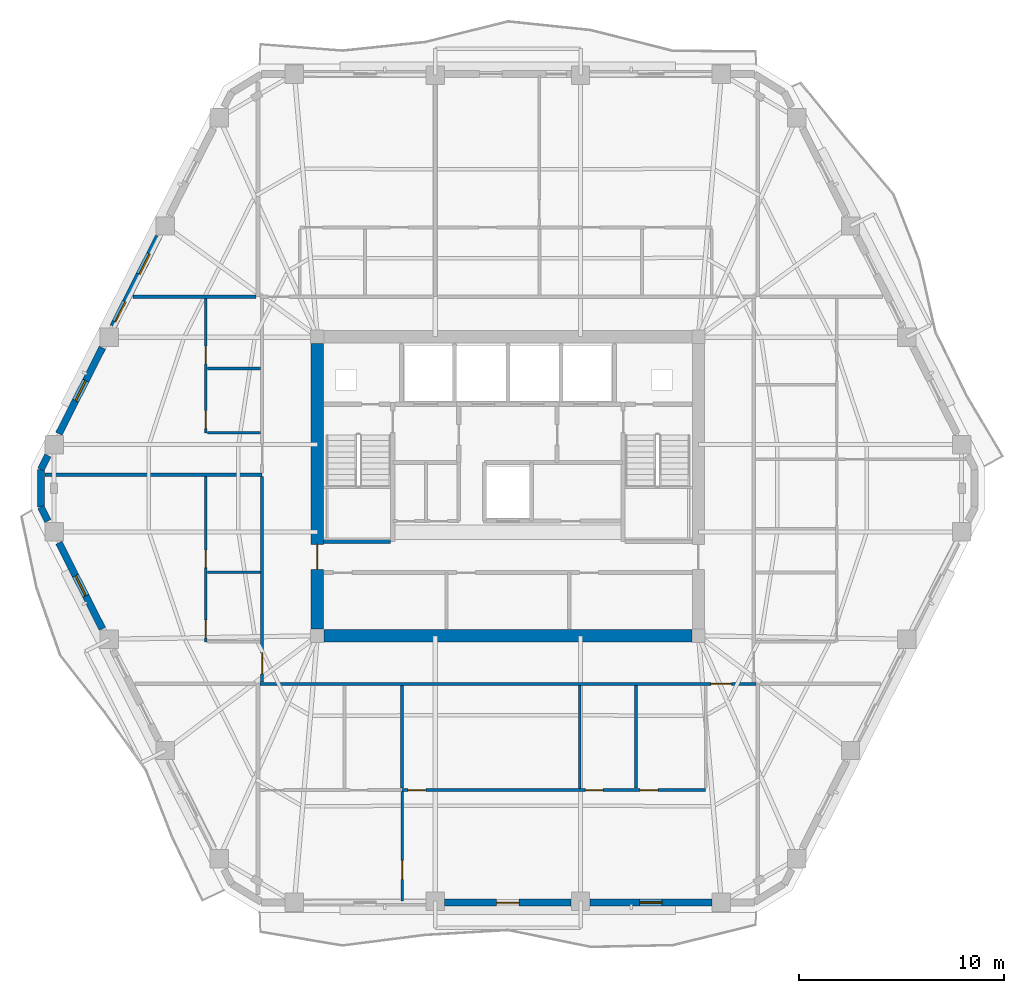
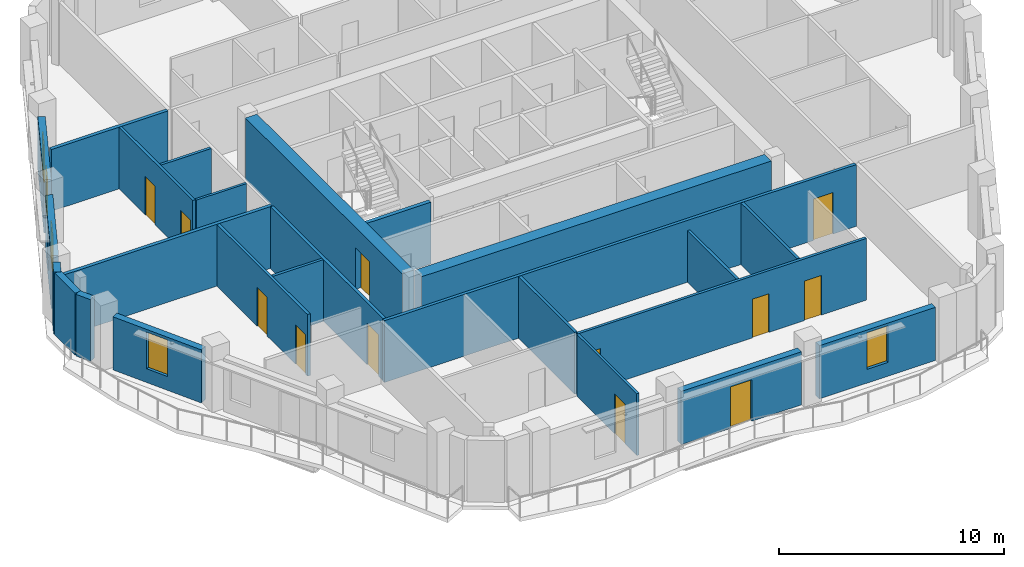
# One storey, part 4 of 11: 25 walls, 12 doors, 5 windows, 17 openings.
"""IFC4 building model written with IfcOpenShell, lengths in metres."""

from ifc_helpers import new_model, si_unit, direction, frame, frame_2d, origin, place, context, subcontext, project, spatial, rectangle, extrude, material, layer, layer_set, type_object, element, fill, save


model = new_model("IFC4")

# Units and contexts
model_context = context("Model", 3, precision=1e-05, world=origin(), true_north=direction((0.0, 1.0)))
body_context = subcontext(model_context, "Body", "Model", "MODEL_VIEW")
ifc_project = project(units=[si_unit("LENGTHUNIT", "METRE"), si_unit("AREAUNIT", "SQUARE_METRE"), si_unit("VOLUMEUNIT", "CUBIC_METRE"), si_unit("PLANEANGLEUNIT", "RADIAN"), si_unit("MASSUNIT", "GRAM", prefix="KILO")], contexts=[model_context])

# Site, building, storey
site_placement = place(None, origin())
site = spatial("IfcSite", under=ifc_project, at=site_placement, CompositionType="ELEMENT")
building_placement = place(site_placement, origin())
building = spatial("IfcBuilding", under=site, at=building_placement, Name="Cinnabar Lancet Tower", CompositionType="ELEMENT")
storey_placement = place(building_placement, frame((0.0, 0.0, 196.75)))
storey = spatial("IfcBuildingStorey", under=building, at=storey_placement, Name="L52", CompositionType="ELEMENT", Elevation=196.75)

# Wall, opening, door
ifc_material_1 = material(Name="Acoustic twin-stud gypsum partition", Category="gypsum")
ifc_layer_1 = layer(ifc_material_1, 0.159912109375)
ifc_layer_set_1 = layer_set([ifc_layer_1], Name="Acoustic twin-stud gypsum partition")
wall_type_1 = type_object("IfcWallType", Name="ARC-WL-CORR-160", PredefinedType="PARTITIONING", material=ifc_layer_set_1)
wall_1_placement = place(storey_placement, frame((20.294921875, 16.25, 0.0), z_axis=(0.0, 0.0, 1.0), x_axis=(1.0, 0.0, 0.0)))
wall_1 = element("IfcWall", 1, at=wall_1_placement, inside=storey, type_object=wall_type_1, Name="L52 Unit S01 Corridor Wall", PredefinedType="PARTITIONING", context=body_context, shape_type="SweptSolid", body=[
    extrude(rectangle(XDim=24.2099609375, YDim=0.159912109375, at=frame_2d((12.10498046875, 0.0))), origin(), (0.0, 0.0, 1.0), 3.35009765625),
])
opening_1_placement = place(wall_1_placement, frame((22.0048828125, 0.0, 0.0)))
opening_1 = element("IfcOpeningElement", 2, at=opening_1_placement, cuts=wall_1, Name="Opening UD-01", PredefinedType="OPENING", context=body_context, shape_type="SweptSolid", body=[
    extrude(rectangle(XDim=1.02001953125, YDim=2.25, at=frame_2d((0.510009765625, 1.125))), frame((0.0, 0.08984375, 0.0), z_axis=(0.0, -1.0, 0.0), x_axis=(1.0, 0.0, 0.0)), (0.0, 0.0, 1.0), 0.179931640625),
])
ifc_material_2 = material(Name="Solid timber fire-rated apartment entrance door", Category="wood")
door_type_1 = type_object("IfcDoorType", Name="ARC-DR-UNIT", OperationType="NOTDEFINED", PredefinedType="DOOR", material=ifc_material_2)
door_1_placement = place(opening_1_placement, origin())
door_1 = element("IfcDoor", 3, at=door_1_placement, inside=storey, type_object=door_type_1, Name="DR-L52-S01-ENT", OperationType="SINGLE_SWING_RIGHT", OverallHeight=2.25, OverallWidth=1.02001953125, PredefinedType="DOOR", context=body_context, shape_type="SweptSolid", body=[
    extrude(rectangle(XDim=1.02001953125, YDim=2.25, at=frame_2d((0.510009765625, 1.125))), frame((0.0, 0.02490234375, 0.0), z_axis=(0.0, -1.0, 0.0), x_axis=(1.0, 0.0, 0.0)), (0.0, 0.0, 1.0), 0.050048828125),
])
fill(opening_1, door_1)

wall_2_placement = place(storey_placement, frame((20.39990234375, 16.344970703125, 0.0), z_axis=(0.0, 0.0, 1.0), x_axis=(0.0, 1.0, 0.0)))
wall_2 = element("IfcWall", 4, at=wall_2_placement, inside=storey, type_object=wall_type_1, Name="UW-L52-W01-COR", PredefinedType="PARTITIONING", context=body_context, shape_type="SweptSolid", body=[
    extrude(rectangle(XDim=10.01611328125, YDim=0.159912109375, at=frame_2d((5.008056640625, 0.0))), origin(), (0.0, 0.0, 1.0), 3.35009765625),
])
opening_2_placement = place(wall_2_placement, frame((0.39990234375, 0.0, 0.0)))
opening_2 = element("IfcOpeningElement", 5, at=opening_2_placement, cuts=wall_2, Name="Opening UD-01", PredefinedType="OPENING", context=body_context, shape_type="SweptSolid", body=[
    extrude(rectangle(XDim=1.02001953125, YDim=2.25, at=frame_2d((0.510009765625, 1.125))), frame((0.0, 0.08984375, 0.0), z_axis=(0.0, -1.0, 0.0), x_axis=(1.0, 0.0, 0.0)), (0.0, 0.0, 1.0), 0.179931640625),
])
door_2_placement = place(opening_2_placement, origin())
door_2 = element("IfcDoor", 6, at=door_2_placement, inside=storey, type_object=door_type_1, Name="DR-L52-W01-ENT", OperationType="SINGLE_SWING_RIGHT", OverallHeight=2.25, OverallWidth=1.02001953125, PredefinedType="DOOR", context=body_context, shape_type="SweptSolid", body=[
    extrude(rectangle(XDim=1.02001953125, YDim=2.25, at=frame_2d((0.510009765625, 1.125))), frame((0.0, 0.02490234375, 0.0), z_axis=(0.0, -1.0, 0.0), x_axis=(1.0, 0.0, 0.0)), (0.0, 0.0, 1.0), 0.050048828125),
])
fill(opening_2, door_2)

# Walls
ifc_material_3 = material(Name="Fire-rated twin-frame acoustic drywall", Category="gypsum")
ifc_layer_2 = layer(ifc_material_3, 0.179931640625)
ifc_layer_set_2 = layer_set([ifc_layer_2], Name="Fire-rated twin-frame acoustic drywall")
wall_type_2 = type_object("IfcWallType", Name="ARC-WL-PARTY-180", PredefinedType="PARTITIONING", material=ifc_layer_set_2)
wall_3_placement = place(storey_placement, frame((14.110107421875, 35.14990234375, 0.0), z_axis=(0.0, 0.0, 1.0), x_axis=(1.0, 0.0, 0.0)))
element("IfcWall", 7, at=wall_3_placement, inside=storey, type_object=wall_type_2, Name="PW-L52-WNB", PredefinedType="PARTITIONING", context=body_context, shape_type="SweptSolid", body=[
    extrude(rectangle(XDim=5.994873046875, YDim=0.179931640625, at=frame_2d((2.99755859375, 0.0))), origin(), (0.0, 0.0, 1.0), 3.35009765625),
])
wall_4_placement = place(storey_placement, frame((9.797119140625, 26.4560546875, 0.0), z_axis=(0.0, 0.0, 1.0), x_axis=(1.0, 0.0, 0.0)))
element("IfcWall", 8, at=wall_4_placement, inside=storey, type_object=wall_type_2, Name="PW-L52-WPTY-1", PredefinedType="PARTITIONING", context=body_context, shape_type="SweptSolid", body=[
    extrude(rectangle(XDim=10.602783203125, YDim=0.179931640625, at=frame_2d((5.30126953125, 0.0))), origin(), (0.0, 0.0, 1.0), 3.35009765625),
])
ifc_material_4 = material(Name="Autoclaved aerated concrete blockwork", Category="masonry")
ifc_layer_3 = layer(ifc_material_4, 0.199951171875)
ifc_layer_set_3 = layer_set([ifc_layer_3], Name="Autoclaved aerated concrete blockwork")
wall_type_3 = type_object("IfcWallType", Name="ARC-WL-SHAFT-200", PredefinedType="PLUMBINGWALL", material=ifc_layer_set_3)
wall_5_placement = place(storey_placement, frame((23.405029296875, 23.199951171875, 0.0), z_axis=(0.0, 0.0, 1.0), x_axis=(1.0, 0.0, 0.0)))
element("IfcWall", 9, at=wall_5_placement, inside=storey, type_object=wall_type_3, Name="CW-ST1S-L52", PredefinedType="PLUMBINGWALL", context=body_context, shape_type="SweptSolid", body=[
    extrude(rectangle(XDim=3.27001953125, YDim=0.199951171875, at=frame_2d((1.635009765625, 0.0))), origin(), (0.0, 0.0, 1.0), 3.35009765625),
])

# Wall, opening, door
ifc_material_5 = material(Name="Gypsum plasterboard stud partition", Category="gypsum")
ifc_layer_4 = layer(ifc_material_5, 0.125)
ifc_layer_set_4 = layer_set([ifc_layer_4], Name="Gypsum plasterboard stud partition")
wall_type_4 = type_object("IfcWallType", Name="ARC-WL-UNIT-125", PredefinedType="PARTITIONING", material=ifc_layer_set_4)
wall_6_placement = place(storey_placement, frame((27.237060546875, 5.6650390625, 0.0), z_axis=(0.0, 0.0, 1.0), x_axis=(0.0, 1.0, 0.0)))
wall_6 = element("IfcWall", 10, at=wall_6_placement, inside=storey, type_object=wall_type_4, Name="UW-L52-S01-MBW", PredefinedType="PARTITIONING", context=body_context, shape_type="SweptSolid", body=[
    extrude(rectangle(XDim=5.322998046875, YDim=0.125, at=frame_2d((2.66162109375, 0.0))), origin(), (0.0, 0.0, 1.0), 3.35009765625),
])
opening_3_placement = place(wall_6_placement, frame((1.050048828125, 0.0, 0.0)))
opening_3 = element("IfcOpeningElement", 11, at=opening_3_placement, cuts=wall_6, Name="Opening RD-01", PredefinedType="OPENING", context=body_context, shape_type="SweptSolid", body=[
    extrude(rectangle(XDim=0.919921875, YDim=2.14990234375, at=frame_2d((0.4599609375, 1.074951171875))), frame((0.0, 0.072509765625, 0.0), z_axis=(0.0, -1.0, 0.0), x_axis=(1.0, 0.0, 0.0)), (0.0, 0.0, 1.0), 0.14501953125),
])
ifc_material_6 = material(Name="Engineered timber bedroom door", Category="wood")
door_type_2 = type_object("IfcDoorType", Name="ARC-DR-ROOM", OperationType="NOTDEFINED", PredefinedType="DOOR", material=ifc_material_6)
door_3_placement = place(opening_3_placement, origin())
door_3 = element("IfcDoor", 12, at=door_3_placement, inside=storey, type_object=door_type_2, Name="DR-L52-S01-MBD", OperationType="SINGLE_SWING_LEFT", OverallHeight=2.14990234375, OverallWidth=0.919921875, PredefinedType="DOOR", context=body_context, shape_type="SweptSolid", body=[
    extrude(rectangle(XDim=0.919921875, YDim=2.14990234375, at=frame_2d((0.4599609375, 1.074951171875))), frame((0.0, 0.02490234375, 0.0), z_axis=(0.0, -1.0, 0.0), x_axis=(1.0, 0.0, 0.0)), (0.0, 0.0, 1.0), 0.050048828125),
])
fill(opening_3, door_3)

# Wall
wall_7_placement = place(storey_placement, frame((17.735107421875, 28.506103515625, 0.0), z_axis=(0.0, 0.0, 1.0), x_axis=(1.0, 0.0, 0.0)))
element("IfcWall", 13, at=wall_7_placement, inside=storey, type_object=wall_type_4, Name="UW-L52-W02-FOYN", PredefinedType="PARTITIONING", context=body_context, shape_type="SweptSolid", body=[
    extrude(rectangle(XDim=2.579833984375, YDim=0.125, at=frame_2d((1.2900390625, 0.0))), origin(), (0.0, 0.0, 1.0), 3.35009765625),
])

# Wall, openings, doors
ifc_material_7 = material(Name="Moisture-resistant cement-board plumbing wall", Category="masonry")
ifc_layer_5 = layer(ifc_material_7, 0.139892578125)
ifc_layer_set_5 = layer_set([ifc_layer_5], Name="Moisture-resistant cement-board plumbing wall")
wall_type_5 = type_object("IfcWallType", Name="ARC-WL-WET-140", PredefinedType="PLUMBINGWALL", material=ifc_layer_set_5)
wall_8_placement = place(storey_placement, frame((27.237060546875, 11.06298828125, 0.0), z_axis=(0.0, 0.0, 1.0), x_axis=(1.0, 0.0, 0.0)))
wall_8 = element("IfcWall", 14, at=wall_8_placement, inside=storey, type_object=wall_type_5, Name="UW-L52-S01-SPL", PredefinedType="PLUMBINGWALL", context=body_context, shape_type="SweptSolid", body=[
    extrude(rectangle(XDim=14.81298828125, YDim=0.139892578125, at=frame_2d((7.406494140625, 0.0))), origin(), (0.0, 0.0, 1.0), 3.35009765625),
])
opening_4_placement = place(wall_8_placement, frame((0.280029296875, 0.0, 0.0)))
opening_4 = element("IfcOpeningElement", 15, at=opening_4_placement, cuts=wall_8, Name="Opening RD-02", PredefinedType="OPENING", context=body_context, shape_type="SweptSolid", body=[
    extrude(rectangle(XDim=0.8798828125, YDim=2.14990234375, at=frame_2d((0.43994140625, 1.074951171875))), frame((0.0, 0.079833984375, 0.0), z_axis=(0.0, -1.0, 0.0), x_axis=(1.0, 0.0, 0.0)), (0.0, 0.0, 1.0), 0.159912109375),
])
opening_5_placement = place(wall_8_placement, frame((8.947998046875, 0.0, 0.0)))
opening_5 = element("IfcOpeningElement", 16, at=opening_5_placement, cuts=wall_8, Name="Opening BD-01", PredefinedType="OPENING", context=body_context, shape_type="SweptSolid", body=[
    extrude(rectangle(XDim=0.860107421875, YDim=2.10009765625, at=frame_2d((0.43017578125, 1.050048828125))), frame((0.0, 0.079833984375, 0.0), z_axis=(0.0, -1.0, 0.0), x_axis=(1.0, 0.0, 0.0)), (0.0, 0.0, 1.0), 0.159912109375),
])
opening_6_placement = place(wall_8_placement, frame((11.613037109375, 0.0, 0.0)))
opening_6 = element("IfcOpeningElement", 17, at=opening_6_placement, cuts=wall_8, Name="Opening RD-02", PredefinedType="OPENING", context=body_context, shape_type="SweptSolid", body=[
    extrude(rectangle(XDim=0.8798828125, YDim=2.14990234375, at=frame_2d((0.43994140625, 1.074951171875))), frame((0.0, 0.079833984375, 0.0), z_axis=(0.0, -1.0, 0.0), x_axis=(1.0, 0.0, 0.0)), (0.0, 0.0, 1.0), 0.159912109375),
])
ifc_material_8 = material(Name="Moisture-resistant timber bathroom door", Category="wood")
door_type_3 = type_object("IfcDoorType", Name="ARC-DR-BATH", OperationType="NOTDEFINED", PredefinedType="DOOR", material=ifc_material_8)
door_4_placement = place(opening_5_placement, origin())
door_4 = element("IfcDoor", 18, at=door_4_placement, inside=storey, type_object=door_type_3, Name="DR-L52-S01-BTH", OperationType="SINGLE_SWING_RIGHT", OverallHeight=2.10009765625, OverallWidth=0.860107421875, PredefinedType="DOOR", context=body_context, shape_type="SweptSolid", body=[
    extrude(rectangle(XDim=0.860107421875, YDim=2.10009765625, at=frame_2d((0.43017578125, 1.050048828125))), frame((0.0, 0.02490234375, 0.0), z_axis=(0.0, -1.0, 0.0), x_axis=(1.0, 0.0, 0.0)), (0.0, 0.0, 1.0), 0.050048828125),
])
fill(opening_5, door_4)
ifc_material_9 = material(Name="Engineered timber study door", Category="wood")
door_type_4 = type_object("IfcDoorType", Name="ARC-DR-STUDY", OperationType="NOTDEFINED", PredefinedType="DOOR", material=ifc_material_9)
door_5_placement = place(opening_4_placement, origin())
door_5 = element("IfcDoor", 19, at=door_5_placement, inside=storey, type_object=door_type_4, Name="DR-L52-S01-BTH-WDR", OperationType="SINGLE_SWING_LEFT", OverallHeight=2.14990234375, OverallWidth=0.8798828125, PredefinedType="DOOR", context=body_context, shape_type="SweptSolid", body=[
    extrude(rectangle(XDim=0.8798828125, YDim=2.14990234375, at=frame_2d((0.43994140625, 1.074951171875))), frame((0.0, 0.02490234375, 0.0), z_axis=(0.0, -1.0, 0.0), x_axis=(1.0, 0.0, 0.0)), (0.0, 0.0, 1.0), 0.050048828125),
])
fill(opening_4, door_5)
door_6_placement = place(opening_6_placement, origin())
door_6 = element("IfcDoor", 20, at=door_6_placement, inside=storey, type_object=door_type_4, Name="DR-L52-S01-KIT", OperationType="SINGLE_SWING_RIGHT", OverallHeight=2.14990234375, OverallWidth=0.8798828125, PredefinedType="DOOR", context=body_context, shape_type="SweptSolid", body=[
    extrude(rectangle(XDim=0.8798828125, YDim=2.14990234375, at=frame_2d((0.43994140625, 1.074951171875))), frame((0.0, 0.02490234375, 0.0), z_axis=(0.0, -1.0, 0.0), x_axis=(1.0, 0.0, 0.0)), (0.0, 0.0, 1.0), 0.050048828125),
])
fill(opening_6, door_6)

# Walls
for number, where, z_axis, x_axis, name in (
    (21, (38.64990234375, 11.16796875, 0.0), (0.0, 0.0, 1.0), (0.0, 1.0, 0.0), "UW-L52-S01-KBD"),
    (22, (27.237060546875, 11.16796875, 0.0), (0.0, 0.0, 1.0), (0.0, 1.0, 0.0), "UW-L52-S01-ENSW"),
):
    element("IfcWall", number, at=place(storey_placement, frame(where, z_axis=z_axis, x_axis=x_axis)), inside=storey, type_object=wall_type_5, Name=name, PredefinedType="PLUMBINGWALL", context=body_context, shape_type="SweptSolid", body=[
        extrude(rectangle(XDim=4.9970703125, YDim=0.139892578125, at=frame_2d((2.49853515625, 0.0))), origin(), (0.0, 0.0, 1.0), 3.35009765625),
    ])
wall_9_placement = place(storey_placement, frame((35.905029296875, 11.14794921875, 0.0), z_axis=(0.0, 0.0, 1.0), x_axis=(0.0, 1.0, 0.0)))
element("IfcWall", 23, at=wall_9_placement, inside=storey, type_object=wall_type_5, Name="UW-L52-S01-BTH-WDV", PredefinedType="PLUMBINGWALL", context=body_context, shape_type="SweptSolid", body=[
    extrude(rectangle(XDim=5.01708984375, YDim=0.139892578125, at=frame_2d((2.508544921875, 0.0))), origin(), (0.0, 0.0, 1.0), 2.806884765625),
])

# Wall, openings, doors
wall_10_placement = place(storey_placement, frame((17.64990234375, 18.300048828125, 0.0), z_axis=(0.0, 0.0, 1.0), x_axis=(0.0, 1.0, 0.0)))
wall_10 = element("IfcWall", 24, at=wall_10_placement, inside=storey, type_object=wall_type_5, Name="UW-L52-W01-SPL", PredefinedType="PLUMBINGWALL", context=body_context, shape_type="SweptSolid", body=[
    extrude(rectangle(XDim=8.06103515625, YDim=0.139892578125, at=frame_2d((4.030517578125, 0.0))), origin(), (0.0, 0.0, 1.0), 3.35009765625),
])
opening_7_placement = place(wall_10_placement, frame((3.6201171875, 0.0, 0.0)))
opening_7 = element("IfcOpeningElement", 25, at=opening_7_placement, cuts=wall_10, Name="Opening BD-01", PredefinedType="OPENING", context=body_context, shape_type="SweptSolid", body=[
    extrude(rectangle(XDim=0.860107421875, YDim=2.10009765625, at=frame_2d((0.43017578125, 1.050048828125))), frame((0.0, 0.079833984375, 0.0), z_axis=(0.0, -1.0, 0.0), x_axis=(1.0, 0.0, 0.0)), (0.0, 0.0, 1.0), 0.159912109375),
])
opening_8_placement = place(wall_10_placement, frame((0.199951171875, 0.0, 0.0)))
opening_8 = element("IfcOpeningElement", 26, at=opening_8_placement, cuts=wall_10, Name="Opening RD-02", PredefinedType="OPENING", context=body_context, shape_type="SweptSolid", body=[
    extrude(rectangle(XDim=0.8798828125, YDim=2.14990234375, at=frame_2d((0.43994140625, 1.074951171875))), frame((0.0, 0.079833984375, 0.0), z_axis=(0.0, -1.0, 0.0), x_axis=(1.0, 0.0, 0.0)), (0.0, 0.0, 1.0), 0.159912109375),
])
door_7_placement = place(opening_7_placement, origin())
door_7 = element("IfcDoor", 27, at=door_7_placement, inside=storey, type_object=door_type_3, Name="DR-L52-W01-BTH", OperationType="SINGLE_SWING_RIGHT", OverallHeight=2.10009765625, OverallWidth=0.860107421875, PredefinedType="DOOR", context=body_context, shape_type="SweptSolid", body=[
    extrude(rectangle(XDim=0.860107421875, YDim=2.10009765625, at=frame_2d((0.43017578125, 1.050048828125))), frame((0.0, 0.02490234375, 0.0), z_axis=(0.0, -1.0, 0.0), x_axis=(1.0, 0.0, 0.0)), (0.0, 0.0, 1.0), 0.050048828125),
])
fill(opening_7, door_7)
door_8_placement = place(opening_8_placement, origin())
door_8 = element("IfcDoor", 28, at=door_8_placement, inside=storey, type_object=door_type_4, Name="DR-L52-W01-KIT", OperationType="SINGLE_SWING_LEFT", OverallHeight=2.14990234375, OverallWidth=0.8798828125, PredefinedType="DOOR", context=body_context, shape_type="SweptSolid", body=[
    extrude(rectangle(XDim=0.8798828125, YDim=2.14990234375, at=frame_2d((0.43994140625, 1.074951171875))), frame((0.0, 0.02490234375, 0.0), z_axis=(0.0, -1.0, 0.0), x_axis=(1.0, 0.0, 0.0)), (0.0, 0.0, 1.0), 0.050048828125),
])
fill(opening_8, door_8)

# Wall
wall_11_placement = place(storey_placement, frame((17.735107421875, 21.699951171875, 0.0), z_axis=(0.0, 0.0, 1.0), x_axis=(1.0, 0.0, 0.0)))
element("IfcWall", 29, at=wall_11_placement, inside=storey, type_object=wall_type_5, Name="UW-L52-W01-KDV", PredefinedType="PLUMBINGWALL", context=body_context, shape_type="SweptSolid", body=[
    extrude(rectangle(XDim=2.579833984375, YDim=0.139892578125, at=frame_2d((1.2900390625, 0.0))), origin(), (0.0, 0.0, 1.0), 3.35009765625),
])

# Wall, openings, doors
wall_12_placement = place(storey_placement, frame((17.64990234375, 28.506103515625, 0.0), z_axis=(0.0, 0.0, 1.0), x_axis=(0.0, 1.0, 0.0)))
wall_12 = element("IfcWall", 30, at=wall_12_placement, inside=storey, type_object=wall_type_5, Name="UW-L52-W02-SPL", PredefinedType="PLUMBINGWALL", context=body_context, shape_type="SweptSolid", body=[
    extrude(rectangle(XDim=6.548828125, YDim=0.139892578125, at=frame_2d((3.2744140625, 0.0))), origin(), (0.0, 0.0, 1.0), 3.35009765625),
])
opening_9_placement = place(wall_12_placement, frame((3.364013671875, 0.0, 0.0)))
opening_9 = element("IfcOpeningElement", 31, at=opening_9_placement, cuts=wall_12, Name="Opening BD-01", PredefinedType="OPENING", context=body_context, shape_type="SweptSolid", body=[
    extrude(rectangle(XDim=0.860107421875, YDim=2.10009765625, at=frame_2d((0.43017578125, 1.050048828125))), frame((0.0, 0.079833984375, 0.0), z_axis=(0.0, -1.0, 0.0), x_axis=(1.0, 0.0, 0.0)), (0.0, 0.0, 1.0), 0.159912109375),
])
opening_10_placement = place(wall_12_placement, frame((0.199951171875, 0.0, 0.0)))
opening_10 = element("IfcOpeningElement", 32, at=opening_10_placement, cuts=wall_12, Name="Opening RD-02", PredefinedType="OPENING", context=body_context, shape_type="SweptSolid", body=[
    extrude(rectangle(XDim=0.8798828125, YDim=2.14990234375, at=frame_2d((0.43994140625, 1.074951171875))), frame((0.0, 0.079833984375, 0.0), z_axis=(0.0, -1.0, 0.0), x_axis=(1.0, 0.0, 0.0)), (0.0, 0.0, 1.0), 0.159912109375),
])
door_9_placement = place(opening_9_placement, origin())
door_9 = element("IfcDoor", 33, at=door_9_placement, inside=storey, type_object=door_type_3, Name="DR-L52-W02-BTH", OperationType="SINGLE_SWING_LEFT", OverallHeight=2.10009765625, OverallWidth=0.860107421875, PredefinedType="DOOR", context=body_context, shape_type="SweptSolid", body=[
    extrude(rectangle(XDim=0.860107421875, YDim=2.10009765625, at=frame_2d((0.43017578125, 1.050048828125))), frame((0.0, 0.02490234375, 0.0), z_axis=(0.0, -1.0, 0.0), x_axis=(1.0, 0.0, 0.0)), (0.0, 0.0, 1.0), 0.050048828125),
])
fill(opening_9, door_9)
door_10_placement = place(opening_10_placement, origin())
door_10 = element("IfcDoor", 34, at=door_10_placement, inside=storey, type_object=door_type_4, Name="DR-L52-W02-KIT", OperationType="SINGLE_SWING_RIGHT", OverallHeight=2.14990234375, OverallWidth=0.8798828125, PredefinedType="DOOR", context=body_context, shape_type="SweptSolid", body=[
    extrude(rectangle(XDim=0.8798828125, YDim=2.14990234375, at=frame_2d((0.43994140625, 1.074951171875))), frame((0.0, 0.02490234375, 0.0), z_axis=(0.0, -1.0, 0.0), x_axis=(1.0, 0.0, 0.0)), (0.0, 0.0, 1.0), 0.050048828125),
])
fill(opening_10, door_10)

# Walls
wall_13_placement = place(storey_placement, frame((17.735107421875, 31.64990234375, 0.0), z_axis=(0.0, 0.0, 1.0), x_axis=(1.0, 0.0, 0.0)))
element("IfcWall", 35, at=wall_13_placement, inside=storey, type_object=wall_type_5, Name="UW-L52-W02-KDV", PredefinedType="PLUMBINGWALL", context=body_context, shape_type="SweptSolid", body=[
    extrude(rectangle(XDim=2.579833984375, YDim=0.139892578125, at=frame_2d((1.2900390625, 0.0))), origin(), (0.0, 0.0, 1.0), 3.35009765625),
])
ifc_material_10 = material(Name="Cinnabar red clay brick", Category="masonry")
ifc_layer_6 = layer(ifc_material_10, 0.340087890625)
ifc_layer_set_6 = layer_set([ifc_layer_6], Name="Cinnabar red clay brick")
wall_type_6 = type_object("IfcWallType", Name="ENV-WL-BRK-RED-340", PredefinedType="STANDARD", material=ifc_layer_set_6)
wall_14_placement = place(storey_placement, frame((9.6220703125, 26.7080078125, 0.0), z_axis=(0.0, 0.0, 1.0), x_axis=(0.0, -1.0, 0.0)))
element("IfcWall", 36, at=wall_14_placement, inside=storey, type_object=wall_type_6, Name="L52 Chamfered Corner Brick Pier 6.1", PredefinedType="STANDARD", context=body_context, shape_type="SweptSolid", body=[
    extrude(rectangle(XDim=1.81591796875, YDim=0.340087890625, at=frame_2d((0.907958984375, 0.0))), origin(), (0.0, 0.0, 1.0), 3.35009765625),
])

# Wall, opening, door
wall_15_placement = place(storey_placement, frame((29.31103515625, 5.580078125, 0.0), z_axis=(0.0, 0.0, 1.0), x_axis=(1.0, 0.0, 0.0)))
wall_15 = element("IfcWall", 37, at=wall_15_placement, inside=storey, type_object=wall_type_6, Name="L52 Face 1 Masonry Bay Wall 3", PredefinedType="STANDARD", context=body_context, shape_type="SweptSolid", body=[
    extrude(rectangle(XDim=6.177978515625, YDim=0.340087890625, at=frame_2d((3.0888671875, 0.0))), origin(), (0.0, 0.0, 1.0), 2.883056640625),
])
opening_11_placement = place(wall_15_placement, frame((2.5390625, 0.0, 0.0)))
opening_11 = element("IfcOpeningElement", 38, at=opening_11_placement, cuts=wall_15, Name="Opening TD-01", PredefinedType="OPENING", context=body_context, shape_type="SweptSolid", body=[
    extrude(rectangle(XDim=1.10009765625, YDim=2.25, at=frame_2d((0.550048828125, 1.125))), frame((0.0, 0.179931640625, 0.0), z_axis=(0.0, -1.0, 0.0), x_axis=(1.0, 0.0, 0.0)), (0.0, 0.0, 1.0), 0.360107421875),
])
ifc_material_11 = material(Name="Thermally broken low-E glazed balcony terrace door", Category="wood")
door_type_5 = type_object("IfcDoorType", Name="ARC-DR-BALC", OperationType="NOTDEFINED", PredefinedType="DOOR", material=ifc_material_11)
door_11_placement = place(opening_11_placement, origin())
door_11 = element("IfcDoor", 39, at=door_11_placement, inside=storey, type_object=door_type_5, Name="L52 Face 1 Glazed Terrace Door", OperationType="SINGLE_SWING_LEFT", OverallHeight=2.25, OverallWidth=1.10009765625, PredefinedType="DOOR", context=body_context, shape_type="SweptSolid", body=[
    extrude(rectangle(XDim=1.10009765625, YDim=2.25, at=frame_2d((0.550048828125, 1.125))), frame((0.0, 0.02490234375, 0.0), z_axis=(0.0, -1.0, 0.0), x_axis=(1.0, 0.0, 0.0)), (0.0, 0.0, 1.0), 0.050048828125),
])
fill(opening_11, door_11)

# Wall, opening, window
wall_16_placement = place(storey_placement, frame((36.39697265625, 5.580078125, 0.0), z_axis=(0.0, 0.0, 1.0), x_axis=(1.0, 0.0, 0.0)))
wall_16 = element("IfcWall", 40, at=wall_16_placement, inside=storey, type_object=wall_type_6, Name="L52 Face 1 Masonry Bay Wall 4", PredefinedType="STANDARD", context=body_context, shape_type="SweptSolid", body=[
    extrude(rectangle(XDim=5.969970703125, YDim=0.340087890625, at=frame_2d((2.98486328125, 0.0))), origin(), (0.0, 0.0, 1.0), 2.883056640625),
])
opening_12_placement = place(wall_16_placement, frame((2.43505859375, 0.0, 0.75)))
opening_12 = element("IfcOpeningElement", 41, at=opening_12_placement, cuts=wall_16, Name="Opening WN-04", PredefinedType="OPENING", context=body_context, shape_type="SweptSolid", body=[
    extrude(rectangle(XDim=1.10009765625, YDim=1.98291015625, at=frame_2d((0.550048828125, 0.991455078125))), frame((0.0, 0.179931640625, 0.0), z_axis=(0.0, -1.0, 0.0), x_axis=(1.0, 0.0, 0.0)), (0.0, 0.0, 1.0), 0.360107421875),
])
ifc_material_12 = material(Name="Thermally broken bronze-anodized aluminium tall lancet window", Category="aluminium")
window_type = type_object("IfcWindowType", Name="ENV-WN-LANCET-1100", PartitioningType="SINGLE_PANEL", PredefinedType="WINDOW", material=ifc_material_12)
window_1_placement = place(opening_12_placement, origin())
window_1 = element("IfcWindow", 42, at=window_1_placement, inside=storey, type_object=window_type, Name="L52 Face 1 Gothic Lancet Window 4", OverallHeight=1.98291015625, OverallWidth=1.10009765625, PartitioningType="SINGLE_PANEL", PredefinedType="WINDOW", context=body_context, shape_type="SweptSolid", body=[
    extrude(rectangle(XDim=1.10009765625, YDim=1.98291015625, at=frame_2d((0.550048828125, 0.991455078125))), frame((0.0, 0.030029296875, 0.0), z_axis=(0.0, -1.0, 0.0), x_axis=(1.0, 0.0, 0.0)), (0.0, 0.0, 1.0), 0.06005859375),
])
fill(opening_12, window_1)

# Wall, openings, windows
wall_17_placement = place(storey_placement, frame((15.35205078125, 38.0830078125, 0.0), z_axis=(0.0, 0.0, 1.0), x_axis=(-0.451524246964, -0.89225884944, 0.0)))
wall_17 = element("IfcWall", 43, at=wall_17_placement, inside=storey, type_object=wall_type_6, Name="L52 Face 5 Masonry Bay Wall 3", PredefinedType="STANDARD", context=body_context, shape_type="SweptSolid", body=[
    extrude(rectangle(XDim=4.91015625, YDim=0.340087890625, at=frame_2d((2.455078125, 0.0))), origin(), (0.0, 0.0, 1.0), 2.883056640625),
])
opening_13_placement = place(wall_17_placement, frame((0.962890625, 0.0, 0.75)))
opening_13 = element("IfcOpeningElement", 44, at=opening_13_placement, cuts=wall_17, Name="Opening WN-04", PredefinedType="OPENING", context=body_context, shape_type="SweptSolid", body=[
    extrude(rectangle(XDim=1.10009765625, YDim=1.98291015625, at=frame_2d((0.550048828125, 0.991455078125))), frame((0.0, 0.179931640625, 0.0), z_axis=(0.0, -1.0, 0.0), x_axis=(1.0, 0.0, 0.0)), (0.0, 0.0, 1.0), 0.360107421875),
])
opening_14_placement = place(wall_17_placement, frame((3.569091796875, 0.0, 0.75)))
opening_14 = element("IfcOpeningElement", 45, at=opening_14_placement, cuts=wall_17, Name="Opening WN-04", PredefinedType="OPENING", context=body_context, shape_type="SweptSolid", body=[
    extrude(rectangle(XDim=1.10009765625, YDim=1.98291015625, at=frame_2d((0.550048828125, 0.991455078125))), frame((0.0, 0.179931640625, 0.0), z_axis=(0.0, -1.0, 0.0), x_axis=(1.0, 0.0, 0.0)), (0.0, 0.0, 1.0), 0.360107421875),
])
window_2_placement = place(opening_13_placement, origin())
window_2 = element("IfcWindow", 46, at=window_2_placement, inside=storey, type_object=window_type, Name="L52 Face 5 Gothic Lancet Window 3", OverallHeight=1.98291015625, OverallWidth=1.10009765625, PartitioningType="SINGLE_PANEL", PredefinedType="WINDOW", context=body_context, shape_type="SweptSolid", body=[
    extrude(rectangle(XDim=1.10009765625, YDim=1.98291015625, at=frame_2d((0.550048828125, 0.991455078125))), frame((0.0, 0.030029296875, 0.0), z_axis=(0.0, -1.0, 0.0), x_axis=(1.0, 0.0, 0.0)), (0.0, 0.0, 1.0), 0.06005859375),
])
fill(opening_13, window_2)
window_3_placement = place(opening_14_placement, origin())
window_3 = element("IfcWindow", 47, at=window_3_placement, inside=storey, type_object=window_type, Name="L52 Split-Bay Gothic Lancet Window 175", OverallHeight=1.98291015625, OverallWidth=1.10009765625, PartitioningType="SINGLE_PANEL", PredefinedType="WINDOW", context=body_context, shape_type="SweptSolid", body=[
    extrude(rectangle(XDim=1.10009765625, YDim=1.98291015625, at=frame_2d((0.550048828125, 0.991455078125))), frame((0.0, 0.030029296875, 0.0), z_axis=(0.0, -1.0, 0.0), x_axis=(1.0, 0.0, 0.0)), (0.0, 0.0, 1.0), 0.06005859375),
])
fill(opening_14, window_3)

# Wall, opening, window
wall_18_placement = place(storey_placement, frame((12.60693359375, 32.656982421875, 0.0), z_axis=(0.0, 0.0, 1.0), x_axis=(-0.451426298588, -0.892308409096, 0.0)))
wall_18 = element("IfcWall", 48, at=wall_18_placement, inside=storey, type_object=wall_type_6, Name="L52 Face 5 Masonry Bay Wall 4", PredefinedType="STANDARD", context=body_context, shape_type="SweptSolid", body=[
    extrude(rectangle(XDim=4.7001953125, YDim=0.340087890625, at=frame_2d((2.35009765625, 0.0))), origin(), (0.0, 0.0, 1.0), 2.883056640625),
])
opening_15_placement = place(wall_18_placement, frame((1.800048828125, 0.0, 0.75)))
opening_15 = element("IfcOpeningElement", 49, at=opening_15_placement, cuts=wall_18, Name="Opening WN-04", PredefinedType="OPENING", context=body_context, shape_type="SweptSolid", body=[
    extrude(rectangle(XDim=1.10009765625, YDim=1.98291015625, at=frame_2d((0.550048828125, 0.991455078125))), frame((0.0, 0.179931640625, 0.0), z_axis=(0.0, -1.0, 0.0), x_axis=(1.0, 0.0, 0.0)), (0.0, 0.0, 1.0), 0.360107421875),
])
window_4_placement = place(opening_15_placement, origin())
window_4 = element("IfcWindow", 50, at=window_4_placement, inside=storey, type_object=window_type, Name="L52 Face 5 Gothic Lancet Window 4", OverallHeight=1.98291015625, OverallWidth=1.10009765625, PartitioningType="SINGLE_PANEL", PredefinedType="WINDOW", context=body_context, shape_type="SweptSolid", body=[
    extrude(rectangle(XDim=1.10009765625, YDim=1.98291015625, at=frame_2d((0.550048828125, 0.991455078125))), frame((0.0, 0.030029296875, 0.0), z_axis=(0.0, -1.0, 0.0), x_axis=(1.0, 0.0, 0.0)), (0.0, 0.0, 1.0), 0.06005859375),
])
fill(opening_15, window_4)

# Walls
for number, where, z_axis, x_axis, name in (
    (51, (9.948974609375, 27.403076171875, 0.0), (0.0, 0.0, 1.0), (-0.451262448184, -0.892391283496, 0.0), "L52 Face 5 Masonry Bay Wall 5"),
    (52, (9.60107421875, 24.885009765625, 0.0), (0.0, 0.0, 1.0), (0.451262448184, -0.892391283496, 0.0), "L52 Face 6 Masonry Bay Wall 1"),
):
    element("IfcWall", number, at=place(storey_placement, frame(where, z_axis=z_axis, x_axis=x_axis)), inside=storey, type_object=wall_type_6, Name=name, PredefinedType="STANDARD", context=body_context, shape_type="SweptSolid", body=[
        extrude(rectangle(XDim=0.77099609375, YDim=0.340087890625, at=frame_2d((0.385498046875, 0.0))), origin(), (0.0, 0.0, 1.0), 3.35009765625),
    ])

# Wall, opening, window
wall_19_placement = place(storey_placement, frame((10.485107421875, 23.136962890625, 0.0), z_axis=(0.0, 0.0, 1.0), x_axis=(0.451447222193, -0.892297823361, 0.0)))
wall_19 = element("IfcWall", 53, at=wall_19_placement, inside=storey, type_object=wall_type_6, Name="L52 Face 6 Masonry Bay Wall 2", PredefinedType="STANDARD", context=body_context, shape_type="SweptSolid", body=[
    extrude(rectangle(XDim=4.699951171875, YDim=0.340087890625, at=frame_2d((2.35009765625, 0.0))), origin(), (0.0, 0.0, 1.0), 2.883056640625),
])
opening_16_placement = place(wall_19_placement, frame((1.800048828125, 0.0, 0.75)))
opening_16 = element("IfcOpeningElement", 54, at=opening_16_placement, cuts=wall_19, Name="Opening WN-04", PredefinedType="OPENING", context=body_context, shape_type="SweptSolid", body=[
    extrude(rectangle(XDim=1.10009765625, YDim=1.98291015625, at=frame_2d((0.550048828125, 0.991455078125))), frame((0.0, 0.179931640625, 0.0), z_axis=(0.0, -1.0, 0.0), x_axis=(1.0, 0.0, 0.0)), (0.0, 0.0, 1.0), 0.360107421875),
])
window_5_placement = place(opening_16_placement, origin())
window_5 = element("IfcWindow", 55, at=window_5_placement, inside=storey, type_object=window_type, Name="L52 Face 6 Gothic Lancet Window 2", OverallHeight=1.98291015625, OverallWidth=1.10009765625, PartitioningType="SINGLE_PANEL", PredefinedType="WINDOW", context=body_context, shape_type="SweptSolid", body=[
    extrude(rectangle(XDim=1.10009765625, YDim=1.98291015625, at=frame_2d((0.550048828125, 0.991455078125))), frame((0.0, 0.030029296875, 0.0), z_axis=(0.0, -1.0, 0.0), x_axis=(1.0, 0.0, 0.0)), (0.0, 0.0, 1.0), 0.06005859375),
])
fill(opening_16, window_5)

# Wall
ifc_material_13 = material(Name="Concrete C60/75", Category="concrete")
ifc_layer_7 = layer(ifc_material_13, 0.60009765625)
ifc_layer_set_7 = layer_set([ifc_layer_7], Name="Concrete C60/75")
wall_type_7 = type_object("IfcWallType", Name="STR-WL-CORE-600", PredefinedType="SHEAR", material=ifc_layer_set_7)
wall_20_placement = place(storey_placement, frame((23.425048828125, 18.60009765625, 0.0), z_axis=(0.0, 0.0, 1.0), x_axis=(1.0, 0.0, 0.0)))
element("IfcWall", 56, at=wall_20_placement, inside=storey, type_object=wall_type_7, Name="L52 Core Shear Wall S", PredefinedType="SHEAR", context=body_context, shape_type="SweptSolid", body=[
    extrude(rectangle(XDim=17.949951171875, YDim=0.60009765625, at=frame_2d((8.97509765625, 0.0))), origin(), (0.0, 0.0, 1.0), 3.35009765625),
])

# Wall, opening, door
wall_21_placement = place(storey_placement, frame((23.10009765625, 18.925048828125, 0.0), z_axis=(0.0, 0.0, 1.0), x_axis=(0.0, 1.0, 0.0)))
wall_21 = element("IfcWall", 57, at=wall_21_placement, inside=storey, type_object=wall_type_7, Name="L52 Core Shear Wall W", PredefinedType="SHEAR", context=body_context, shape_type="SweptSolid", body=[
    extrude(rectangle(XDim=13.949951171875, YDim=0.60009765625, at=frame_2d((6.97509765625, 0.0))), origin(), (0.0, 0.0, 1.0), 3.35009765625),
])
opening_17_placement = place(wall_21_placement, frame((2.9150390625, 0.0, 0.0)))
opening_17 = element("IfcOpeningElement", 58, at=opening_17_placement, cuts=wall_21, Name="Opening FD-02", PredefinedType="OPENING", context=body_context, shape_type="SweptSolid", body=[
    extrude(rectangle(XDim=1.219970703125, YDim=2.25, at=frame_2d((0.60986328125, 1.125))), frame((0.0, 0.31005859375, 0.0), z_axis=(0.0, -1.0, 0.0), x_axis=(1.0, 0.0, 0.0)), (0.0, 0.0, 1.0), 0.6201171875),
])
ifc_material_14 = material(Name="Fire-rated double-vision core portal door", Category="wood")
door_type_6 = type_object("IfcDoorType", Name="ARC-DR-CPORT", OperationType="NOTDEFINED", PredefinedType="DOOR", material=ifc_material_14)
door_12_placement = place(opening_17_placement, origin())
door_12 = element("IfcDoor", 59, at=door_12_placement, inside=storey, type_object=door_type_6, Name="L52 West Core Lobby Fire Door", OperationType="SINGLE_SWING_RIGHT", OverallHeight=2.25, OverallWidth=1.219970703125, PredefinedType="DOOR", context=body_context, shape_type="SweptSolid", body=[
    extrude(rectangle(XDim=1.219970703125, YDim=2.25, at=frame_2d((0.60986328125, 1.125))), frame((0.0, 0.02490234375, 0.0), z_axis=(0.0, -1.0, 0.0), x_axis=(1.0, 0.0, 0.0)), (0.0, 0.0, 1.0), 0.050048828125),
])
fill(opening_17, door_12)

save(model, "model.ifc")
